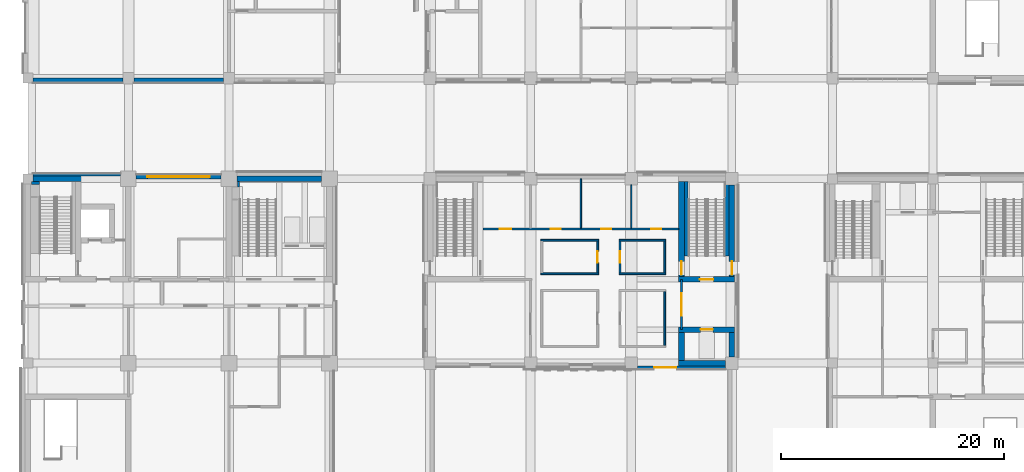
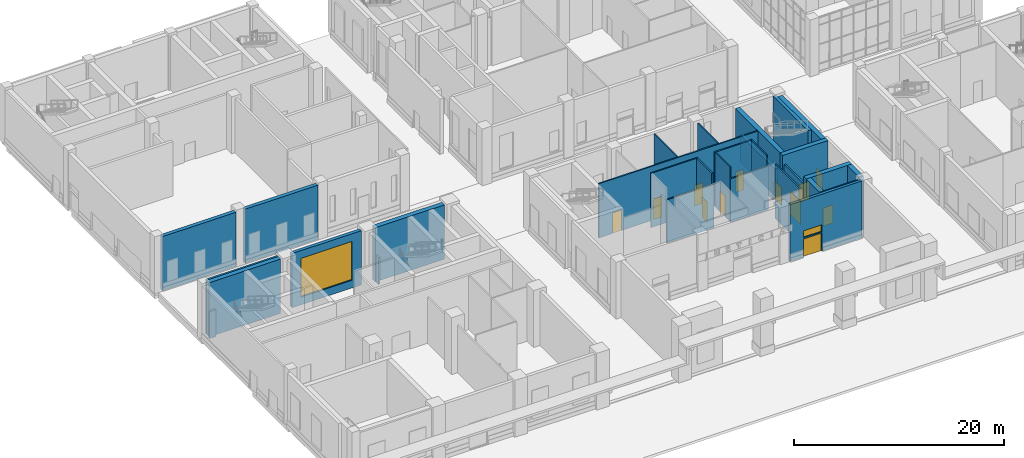
# One storey, part 10 of 35: 30 walls, 12 doors, 2 windows, 14 openings.
"""IFC4 building model written with IfcOpenShell, lengths in metres."""

from ifc_helpers import new_model, si_unit, direction, frame, frame_2d, origin, place, context, subcontext, project, spatial, rectangle, extrude, material, layer, layer_set, type_object, element, fill, save


model = new_model("IFC4")

# Units and contexts
model_context = context("Model", 3, precision=1e-05, world=origin(), true_north=direction((0.0, 1.0)))
body_context = subcontext(model_context, "Body", "Model", "MODEL_VIEW")
ifc_project = project(units=[si_unit("LENGTHUNIT", "METRE"), si_unit("AREAUNIT", "SQUARE_METRE"), si_unit("VOLUMEUNIT", "CUBIC_METRE"), si_unit("PLANEANGLEUNIT", "RADIAN"), si_unit("MASSUNIT", "GRAM", prefix="KILO")], contexts=[model_context])

# Site, building, storey
site_placement = place(None, origin())
site = spatial("IfcSite", under=ifc_project, at=site_placement, CompositionType="ELEMENT")
building_placement = place(site_placement, origin())
building = spatial("IfcBuilding", under=site, at=building_placement, Name="Aurelan Courthouse", CompositionType="ELEMENT")
storey_placement = place(building_placement, origin())
storey = spatial("IfcBuildingStorey", under=building, at=storey_placement, Name="L00", CompositionType="ELEMENT", Elevation=0.0)

# Wall, openings, door, window
ifc_material_1 = material(Name="Limestone cladding", Category="masonry")
ifc_layer_1 = layer(ifc_material_1, 0.0849609375, Name="Facing")
ifc_material_2 = material(Name="Ventilated cavity")
ifc_layer_2 = layer(ifc_material_2, 0.02490234375, ventilated=True, Name="Ventilated cavity")
ifc_material_3 = material(Name="Mineral wool insulation")
ifc_layer_3 = layer(ifc_material_3, 0.044921875, Name="Insulation")
ifc_material_4 = material(Name="Concrete C30", Category="concrete")
ifc_layer_4 = layer(ifc_material_4, 0.14501953125, Name="Structure")
ifc_layer_set_1 = layer_set([ifc_layer_1, ifc_layer_2, ifc_layer_3, ifc_layer_4], Name="Concrete C30")
wall_type_1 = type_object("IfcWallType", Name="Ceremonial Court stone-faced wall 300", PredefinedType="SOLIDWALL", material=ifc_layer_set_1)
wall_1_placement = place(storey_placement, frame((54.550048828125, 11.60009765625, 0.0), z_axis=(0.0, 0.0, 1.0), x_axis=(1.0, 0.0, 0.0)))
wall_1 = element("IfcWall", 1, at=wall_1_placement, inside=storey, type_object=wall_type_1, Name="Facade wall FW-V1-L00-010", PredefinedType="SOLIDWALL", context=body_context, shape_type="SweptSolid", body=[
    extrude(rectangle(XDim=7.89990234375, YDim=0.300048828125, at=frame_2d((3.949951171875, 0.0))), origin(), (0.0, 0.0, 1.0), 6.60009765625),
])
opening_1_placement = place(wall_1_placement, frame((3.5, 0.0, 0.0), z_axis=(0.0, 0.0, 1.0), x_axis=(-1.0, 0.0, 0.0)))
opening_1 = element("IfcOpeningElement", 2, at=opening_1_placement, cuts=wall_1, Name="Opening D-L00-002", PredefinedType="OPENING", context=body_context, shape_type="SweptSolid", body=[
    extrude(rectangle(XDim=2.0, YDim=2.10009765625, at=frame_2d((1.0, 1.050048828125))), frame((0.0, 0.159912109375, 0.0), z_axis=(0.0, -1.0, 0.0), x_axis=(1.0, 0.0, 0.0)), (0.0, 0.0, 1.0), 0.320068359375),
])
opening_2_placement = place(wall_1_placement, frame((1.5, 0.0, 2.25)))
opening_2 = element("IfcOpeningElement", 3, at=opening_2_placement, cuts=wall_1, Name="Opening WN-V1-L00-008", PredefinedType="OPENING", context=body_context, shape_type="SweptSolid", body=[
    extrude(rectangle(XDim=2.0, YDim=0.800048828125, at=frame_2d((1.0, 0.39990234375))), frame((0.0, 0.159912109375, 0.0), z_axis=(0.0, -1.0, 0.0), x_axis=(1.0, 0.0, 0.0)), (0.0, 0.0, 1.0), 0.320068359375),
])
ifc_material_5 = material(Name="Bronze-clad timber", Category="wood")
door_type_1 = type_object("IfcDoorType", Name="Bronze double door 2000 x 2100", OperationType="SINGLE_SWING_LEFT", PredefinedType="DOOR", material=ifc_material_5)
door_1_placement = place(opening_1_placement, origin())
door_1 = element("IfcDoor", 4, at=door_1_placement, inside=storey, type_object=door_type_1, Name="Entrance door D-L00-002", OperationType="DOUBLE_DOOR_SINGLE_SWING", OverallHeight=2.10009765625, OverallWidth=2.0, PredefinedType="DOOR", context=body_context, shape_type="SweptSolid", body=[
    extrude(rectangle(XDim=2.0, YDim=2.10009765625, at=frame_2d((1.0, 1.050048828125))), frame((0.0, 0.02490234375, 0.0), z_axis=(0.0, -1.0, 0.0), x_axis=(1.0, 0.0, 0.0)), (0.0, 0.0, 1.0), 0.050048828125),
])
fill(opening_1, door_1)
ifc_material_6 = material(Name="Bronze-finished aluminium and glass", Category="aluminium")
window_type_1 = type_object("IfcWindowType", Name="Ceremonial Court transom light 2000 x 800, sill 2250", PartitioningType="SINGLE_PANEL", PredefinedType="WINDOW", material=ifc_material_6)
window_1_placement = place(opening_2_placement, origin())
window_1 = element("IfcWindow", 5, at=window_1_placement, inside=storey, type_object=window_type_1, Name="Transom light WN-V1-L00-008", OverallHeight=0.800048828125, OverallWidth=2.0, PartitioningType="SINGLE_PANEL", PredefinedType="WINDOW", context=body_context, shape_type="SweptSolid", body=[
    extrude(rectangle(XDim=2.0, YDim=0.800048828125, at=frame_2d((1.0, 0.39990234375))), frame((0.0, 0.030029296875, 0.0), z_axis=(0.0, -1.0, 0.0), x_axis=(1.0, 0.0, 0.0)), (0.0, 0.0, 1.0), 0.06005859375),
])
fill(opening_2, window_1)

# Walls
ifc_material_7 = material(Name="Gypsum board on metal studs")
ifc_layer_5 = layer(ifc_material_7, 0.14990234375)
ifc_layer_set_2 = layer_set([ifc_layer_5], Name="Gypsum board on metal studs")
wall_type_2 = type_object("IfcWallType", Name="Corridor partition 150 EI 60", PredefinedType="PARTITIONING", material=ifc_layer_set_2)
wall_2_placement = place(storey_placement, frame((45.925048828125, 20.0, 0.0), z_axis=(0.0, 0.0, 1.0), x_axis=(1.0, 0.0, 0.0)))
element("IfcWall", 6, at=wall_2_placement, inside=storey, type_object=wall_type_2, Name="Corridor partition L00-016", PredefinedType="PARTITIONING", context=body_context, shape_type="SweptSolid", body=[
    extrude(rectangle(XDim=5.14990234375, YDim=0.14990234375, at=frame_2d((2.574951171875, 0.0))), origin(), (0.0, 0.0, 1.0), 5.050048828125),
])
wall_3_placement = place(storey_placement, frame((52.925048828125, 20.0, 0.0), z_axis=(0.0, 0.0, 1.0), x_axis=(1.0, 0.0, 0.0)))
element("IfcWall", 7, at=wall_3_placement, inside=storey, type_object=wall_type_2, Name="Corridor partition L00-017", PredefinedType="PARTITIONING", context=body_context, shape_type="SweptSolid", body=[
    extrude(rectangle(XDim=4.14990234375, YDim=0.14990234375, at=frame_2d((2.074951171875, 0.0))), origin(), (0.0, 0.0, 1.0), 5.050048828125),
])
wall_4_placement = place(storey_placement, frame((45.925048828125, 23.0, 0.0), z_axis=(0.0, 0.0, 1.0), x_axis=(1.0, 0.0, 0.0)))
element("IfcWall", 8, at=wall_4_placement, inside=storey, type_object=wall_type_2, Name="Corridor partition L00-019", PredefinedType="PARTITIONING", context=body_context, shape_type="SweptSolid", body=[
    extrude(rectangle(XDim=5.14990234375, YDim=0.14990234375, at=frame_2d((2.574951171875, 0.0))), origin(), (0.0, 0.0, 1.0), 6.300048828125),
])
wall_5_placement = place(storey_placement, frame((52.925048828125, 23.0, 0.0), z_axis=(0.0, 0.0, 1.0), x_axis=(1.0, 0.0, 0.0)))
element("IfcWall", 9, at=wall_5_placement, inside=storey, type_object=wall_type_2, Name="Corridor partition L00-020", PredefinedType="PARTITIONING", context=body_context, shape_type="SweptSolid", body=[
    extrude(rectangle(XDim=4.14990234375, YDim=0.14990234375, at=frame_2d((2.074951171875, 0.0))), origin(), (0.0, 0.0, 1.0), 6.300048828125),
])

# Wall, openings, doors
wall_6_placement = place(storey_placement, frame((40.75, 24.0, 0.0), z_axis=(0.0, 0.0, 1.0), x_axis=(1.0, 0.0, 0.0)))
wall_6 = element("IfcWall", 10, at=wall_6_placement, inside=storey, type_object=wall_type_2, Name="Corridor partition L00-022", PredefinedType="PARTITIONING", context=body_context, shape_type="SweptSolid", body=[
    extrude(rectangle(XDim=17.5, YDim=0.14990234375, at=frame_2d((8.75, 0.0))), origin(), (0.0, 0.0, 1.0), 6.300048828125),
])
opening_3_placement = place(wall_6_placement, frame((1.5, 0.0, 0.0)))
opening_3 = element("IfcOpeningElement", 11, at=opening_3_placement, cuts=wall_6, Name="Opening D-L00-016", PredefinedType="OPENING", context=body_context, shape_type="SweptSolid", body=[
    extrude(rectangle(XDim=1.0, YDim=2.39990234375, at=frame_2d((0.5, 1.199951171875))), frame((0.0, 0.0849609375, 0.0), z_axis=(0.0, -1.0, 0.0), x_axis=(1.0, 0.0, 0.0)), (0.0, 0.0, 1.0), 0.169921875),
])
opening_4_placement = place(wall_6_placement, frame((6.050048828125, 0.0, 0.0)))
opening_4 = element("IfcOpeningElement", 12, at=opening_4_placement, cuts=wall_6, Name="Opening D-L00-017", PredefinedType="OPENING", context=body_context, shape_type="SweptSolid", body=[
    extrude(rectangle(XDim=0.89990234375, YDim=2.39990234375, at=frame_2d((0.449951171875, 1.199951171875))), frame((0.0, 0.0849609375, 0.0), z_axis=(0.0, -1.0, 0.0), x_axis=(1.0, 0.0, 0.0)), (0.0, 0.0, 1.0), 0.169921875),
])
opening_5_placement = place(wall_6_placement, frame((10.550048828125, 0.0, 0.0)))
opening_5 = element("IfcOpeningElement", 13, at=opening_5_placement, cuts=wall_6, Name="Opening D-L00-018", PredefinedType="OPENING", context=body_context, shape_type="SweptSolid", body=[
    extrude(rectangle(XDim=0.89990234375, YDim=2.39990234375, at=frame_2d((0.449951171875, 1.199951171875))), frame((0.0, 0.0849609375, 0.0), z_axis=(0.0, -1.0, 0.0), x_axis=(1.0, 0.0, 0.0)), (0.0, 0.0, 1.0), 0.169921875),
])
opening_6_placement = place(wall_6_placement, frame((15.050048828125, 0.0, 0.0)))
opening_6 = element("IfcOpeningElement", 14, at=opening_6_placement, cuts=wall_6, Name="Opening D-L00-019", PredefinedType="OPENING", context=body_context, shape_type="SweptSolid", body=[
    extrude(rectangle(XDim=0.89990234375, YDim=2.39990234375, at=frame_2d((0.449951171875, 1.199951171875))), frame((0.0, 0.0849609375, 0.0), z_axis=(0.0, -1.0, 0.0), x_axis=(1.0, 0.0, 0.0)), (0.0, 0.0, 1.0), 0.169921875),
])
ifc_material_8 = material(Name="Steel", Category="steel")
door_type_2 = type_object("IfcDoorType", Name="Single door 1000 x 2400 FD60", OperationType="SINGLE_SWING_LEFT", PredefinedType="DOOR", material=ifc_material_8)
door_2_placement = place(opening_3_placement, origin())
door_2 = element("IfcDoor", 15, at=door_2_placement, inside=storey, type_object=door_type_2, Name="Single door D-L00-016", OperationType="SINGLE_SWING_LEFT", OverallHeight=2.39990234375, OverallWidth=1.0, PredefinedType="DOOR", context=body_context, shape_type="SweptSolid", body=[
    extrude(rectangle(XDim=1.0, YDim=2.39990234375, at=frame_2d((0.5, 1.199951171875))), frame((0.0, 0.02490234375, 0.0), z_axis=(0.0, -1.0, 0.0), x_axis=(1.0, 0.0, 0.0)), (0.0, 0.0, 1.0), 0.050048828125),
])
fill(opening_3, door_2)
door_type_3 = type_object("IfcDoorType", Name="Single door 900 x 2400 FD60", OperationType="SINGLE_SWING_LEFT", PredefinedType="DOOR", material=ifc_material_8)
door_3_placement = place(opening_4_placement, origin())
door_3 = element("IfcDoor", 16, at=door_3_placement, inside=storey, type_object=door_type_3, Name="Single door D-L00-017", OperationType="SINGLE_SWING_RIGHT", OverallHeight=2.39990234375, OverallWidth=0.89990234375, PredefinedType="DOOR", context=body_context, shape_type="SweptSolid", body=[
    extrude(rectangle(XDim=0.89990234375, YDim=2.39990234375, at=frame_2d((0.449951171875, 1.199951171875))), frame((0.0, 0.02490234375, 0.0), z_axis=(0.0, -1.0, 0.0), x_axis=(1.0, 0.0, 0.0)), (0.0, 0.0, 1.0), 0.050048828125),
])
fill(opening_4, door_3)
door_4_placement = place(opening_5_placement, origin())
door_4 = element("IfcDoor", 17, at=door_4_placement, inside=storey, type_object=door_type_3, Name="Single door D-L00-018", OperationType="SINGLE_SWING_LEFT", OverallHeight=2.39990234375, OverallWidth=0.89990234375, PredefinedType="DOOR", context=body_context, shape_type="SweptSolid", body=[
    extrude(rectangle(XDim=0.89990234375, YDim=2.39990234375, at=frame_2d((0.449951171875, 1.199951171875))), frame((0.0, 0.02490234375, 0.0), z_axis=(0.0, -1.0, 0.0), x_axis=(1.0, 0.0, 0.0)), (0.0, 0.0, 1.0), 0.050048828125),
])
fill(opening_5, door_4)
door_5_placement = place(opening_6_placement, origin())
door_5 = element("IfcDoor", 18, at=door_5_placement, inside=storey, type_object=door_type_3, Name="Single door D-L00-019", OperationType="SINGLE_SWING_RIGHT", OverallHeight=2.39990234375, OverallWidth=0.89990234375, PredefinedType="DOOR", context=body_context, shape_type="SweptSolid", body=[
    extrude(rectangle(XDim=0.89990234375, YDim=2.39990234375, at=frame_2d((0.449951171875, 1.199951171875))), frame((0.0, 0.02490234375, 0.0), z_axis=(0.0, -1.0, 0.0), x_axis=(1.0, 0.0, 0.0)), (0.0, 0.0, 1.0), 0.050048828125),
])
fill(opening_6, door_5)

# Wall, opening, door
wall_7_placement = place(storey_placement, frame((51.0, 20.074951171875, 0.0), z_axis=(0.0, 0.0, 1.0), x_axis=(0.0, 1.0, 0.0)))
wall_7 = element("IfcWall", 19, at=wall_7_placement, inside=storey, type_object=wall_type_2, Name="Corridor partition L00-084", PredefinedType="PARTITIONING", context=body_context, shape_type="SweptSolid", body=[
    extrude(rectangle(XDim=2.85009765625, YDim=0.14990234375, at=frame_2d((1.425048828125, 0.0))), origin(), (0.0, 0.0, 1.0), 6.300048828125),
])
opening_7_placement = place(wall_7_placement, frame((0.925048828125, 0.0, 0.0)))
opening_7 = element("IfcOpeningElement", 20, at=opening_7_placement, cuts=wall_7, Name="Opening D-L00-014", PredefinedType="OPENING", context=body_context, shape_type="SweptSolid", body=[
    extrude(rectangle(XDim=1.0, YDim=2.39990234375, at=frame_2d((0.5, 1.199951171875))), frame((0.0, 0.0849609375, 0.0), z_axis=(0.0, -1.0, 0.0), x_axis=(1.0, 0.0, 0.0)), (0.0, 0.0, 1.0), 0.169921875),
])
door_6_placement = place(opening_7_placement, origin())
door_6 = element("IfcDoor", 21, at=door_6_placement, inside=storey, type_object=door_type_2, Name="Single door D-L00-014", OperationType="SINGLE_SWING_LEFT", OverallHeight=2.39990234375, OverallWidth=1.0, PredefinedType="DOOR", context=body_context, shape_type="SweptSolid", body=[
    extrude(rectangle(XDim=1.0, YDim=2.39990234375, at=frame_2d((0.5, 1.199951171875))), frame((0.0, 0.02490234375, 0.0), z_axis=(0.0, -1.0, 0.0), x_axis=(1.0, 0.0, 0.0)), (0.0, 0.0, 1.0), 0.050048828125),
])
fill(opening_7, door_6)

wall_8_placement = place(storey_placement, frame((53.0, 20.074951171875, 0.0), z_axis=(0.0, 0.0, 1.0), x_axis=(0.0, 1.0, 0.0)))
wall_8 = element("IfcWall", 22, at=wall_8_placement, inside=storey, type_object=wall_type_2, Name="Corridor partition L00-086", PredefinedType="PARTITIONING", context=body_context, shape_type="SweptSolid", body=[
    extrude(rectangle(XDim=2.85009765625, YDim=0.14990234375, at=frame_2d((1.425048828125, 0.0))), origin(), (0.0, 0.0, 1.0), 6.300048828125),
])
opening_8_placement = place(wall_8_placement, frame((1.925048828125, 0.0, 0.0), z_axis=(0.0, 0.0, 1.0), x_axis=(-1.0, 0.0, 0.0)))
opening_8 = element("IfcOpeningElement", 23, at=opening_8_placement, cuts=wall_8, Name="Opening D-L00-015", PredefinedType="OPENING", context=body_context, shape_type="SweptSolid", body=[
    extrude(rectangle(XDim=1.0, YDim=2.39990234375, at=frame_2d((0.5, 1.199951171875))), frame((0.0, 0.0849609375, 0.0), z_axis=(0.0, -1.0, 0.0), x_axis=(1.0, 0.0, 0.0)), (0.0, 0.0, 1.0), 0.169921875),
])
door_7_placement = place(opening_8_placement, origin())
door_7 = element("IfcDoor", 24, at=door_7_placement, inside=storey, type_object=door_type_2, Name="Single door D-L00-015", OperationType="SINGLE_SWING_LEFT", OverallHeight=2.39990234375, OverallWidth=1.0, PredefinedType="DOOR", context=body_context, shape_type="SweptSolid", body=[
    extrude(rectangle(XDim=1.0, YDim=2.39990234375, at=frame_2d((0.5, 1.199951171875))), frame((0.0, 0.02490234375, 0.0), z_axis=(0.0, -1.0, 0.0), x_axis=(1.0, 0.0, 0.0)), (0.0, 0.0, 1.0), 0.050048828125),
])
fill(opening_8, door_7)

# Walls
wall_9_placement = place(storey_placement, frame((57.0, 13.574951171875, 0.0), z_axis=(0.0, 0.0, 1.0), x_axis=(0.0, 1.0, 0.0)))
element("IfcWall", 25, at=wall_9_placement, inside=storey, type_object=wall_type_2, Name="Corridor partition L00-088", PredefinedType="PARTITIONING", context=body_context, shape_type="SweptSolid", body=[
    extrude(rectangle(XDim=4.85009765625, YDim=0.14990234375, at=frame_2d((2.425048828125, 0.0))), origin(), (0.0, 0.0, 1.0), 6.300048828125),
])
wall_10_placement = place(storey_placement, frame((57.0, 20.074951171875, 0.0), z_axis=(0.0, 0.0, 1.0), x_axis=(0.0, 1.0, 0.0)))
element("IfcWall", 26, at=wall_10_placement, inside=storey, type_object=wall_type_2, Name="Corridor partition L00-089", PredefinedType="PARTITIONING", context=body_context, shape_type="SweptSolid", body=[
    extrude(rectangle(XDim=2.85009765625, YDim=0.14990234375, at=frame_2d((1.425048828125, 0.0))), origin(), (0.0, 0.0, 1.0), 6.300048828125),
])
ifc_material_9 = material(Name="Granite cladding", Category="masonry")
ifc_layer_6 = layer(ifc_material_9, 0.054931640625, Name="Facing")
ifc_layer_7 = layer(ifc_material_2, 0.02490234375, ventilated=True, Name="Ventilated cavity")
ifc_layer_8 = layer(ifc_material_3, 0.030029296875, Name="Insulation")
ifc_layer_9 = layer(ifc_material_4, 0.090087890625, Name="Structure")
ifc_layer_set_3 = layer_set([ifc_layer_6, ifc_layer_7, ifc_layer_8, ifc_layer_9], Name="Concrete C30")
wall_type_3 = type_object("IfcWallType", Name="Courts' Floors granite-faced wall 200", PredefinedType="SOLIDWALL", material=ifc_layer_set_3)
wall_11_placement = place(storey_placement, frame((0.449951171875, 28.85009765625, 0.0), z_axis=(0.0, 0.0, 1.0), x_axis=(1.0, 0.0, 0.0)))
element("IfcWall", 27, at=wall_11_placement, inside=storey, type_object=wall_type_3, Name="Facade wall FW-V5-L00-004", PredefinedType="SOLIDWALL", context=body_context, shape_type="SweptSolid", body=[
    extrude(rectangle(XDim=7.85009765625, YDim=0.199951171875, at=frame_2d((3.925048828125, 0.0))), origin(), (0.0, 0.0, 1.0), 6.300048828125),
])

# Wall, opening, window
ifc_layer_10 = layer(ifc_material_9, 0.10009765625, Name="Facing")
ifc_layer_11 = layer(ifc_material_2, 0.02490234375, ventilated=True, Name="Ventilated cavity")
ifc_layer_12 = layer(ifc_material_3, 0.050048828125, Name="Insulation")
ifc_layer_13 = layer(ifc_material_4, 0.175048828125, Name="Structure")
ifc_layer_set_4 = layer_set([ifc_layer_10, ifc_layer_11, ifc_layer_12, ifc_layer_13], Name="Concrete C30")
wall_type_4 = type_object("IfcWallType", Name="Courts' Floors granite-faced wall 350", PredefinedType="SOLIDWALL", material=ifc_layer_set_4)
wall_12_placement = place(storey_placement, frame((9.699951171875, 28.675048828125, 0.0), z_axis=(0.0, 0.0, 1.0), x_axis=(1.0, 0.0, 0.0)))
wall_12 = element("IfcWall", 28, at=wall_12_placement, inside=storey, type_object=wall_type_4, Name="Facade wall FW-V5-L00-005", PredefinedType="SOLIDWALL", context=body_context, shape_type="SweptSolid", body=[
    extrude(rectangle(XDim=7.60009765625, YDim=0.35009765625, at=frame_2d((3.800048828125, 0.0))), origin(), (0.0, 0.0, 1.0), 6.300048828125),
])
opening_9_placement = place(wall_12_placement, frame((1.0, 0.0, 0.89990234375)))
opening_9 = element("IfcOpeningElement", 29, at=opening_9_placement, cuts=wall_12, Name="Opening WN-V5-L00-002", PredefinedType="OPENING", context=body_context, shape_type="SweptSolid", body=[
    extrude(rectangle(XDim=5.60009765625, YDim=4.5, at=frame_2d((2.800048828125, 2.25))), frame((0.0, 0.18505859375, 0.0), z_axis=(0.0, -1.0, 0.0), x_axis=(1.0, 0.0, 0.0)), (0.0, 0.0, 1.0), 0.3701171875),
])
ifc_material_10 = material(Name="Bronze-finished aluminium louvre", Category="aluminium")
window_type_2 = type_object("IfcWindowType", Name="Plant louvre 5600 x 4500", PartitioningType="SINGLE_PANEL", PredefinedType="WINDOW", material=ifc_material_10)
window_2_placement = place(opening_9_placement, origin())
window_2 = element("IfcWindow", 30, at=window_2_placement, inside=storey, type_object=window_type_2, Name="Plant louvre WN-V5-L00-002", OverallHeight=4.5, OverallWidth=5.60009765625, PartitioningType="SINGLE_PANEL", PredefinedType="WINDOW", context=body_context, shape_type="SweptSolid", body=[
    extrude(rectangle(XDim=5.60009765625, YDim=4.5, at=frame_2d((2.800048828125, 2.25))), frame((0.0, 0.030029296875, 0.0), z_axis=(0.0, -1.0, 0.0), x_axis=(1.0, 0.0, 0.0)), (0.0, 0.0, 1.0), 0.06005859375),
])
fill(opening_9, window_2)

# Walls
ifc_layer_14 = layer(ifc_material_9, 0.114990234375, Name="Facing")
ifc_layer_15 = layer(ifc_material_2, 0.02490234375, ventilated=True, Name="Ventilated cavity")
ifc_layer_16 = layer(ifc_material_3, 0.054931640625, Name="Insulation")
ifc_layer_17 = layer(ifc_material_4, 0.205078125, Name="Structure")
ifc_layer_set_5 = layer_set([ifc_layer_14, ifc_layer_15, ifc_layer_16, ifc_layer_17], Name="Concrete C30")
wall_type_5 = type_object("IfcWallType", Name="Custody Suite granite-faced wall 400", PredefinedType="SOLIDWALL", material=ifc_layer_set_5)
wall_13_placement = place(storey_placement, frame((0.449951171875, 37.300048828125, 0.0), z_axis=(0.0, 0.0, 1.0), x_axis=(1.0, 0.0, 0.0)))
element("IfcWall", 31, at=wall_13_placement, inside=storey, type_object=wall_type_5, Name="Facade wall FW-V6-L00-001", PredefinedType="SOLIDWALL", context=body_context, shape_type="SweptSolid", body=[
    extrude(rectangle(XDim=8.050048828125, YDim=0.39990234375, at=frame_2d((4.02490234375, 0.0))), origin(), (0.0, 0.0, 1.0), 6.300048828125),
])
wall_14_placement = place(storey_placement, frame((9.5, 37.300048828125, 0.0), z_axis=(0.0, 0.0, 1.0), x_axis=(1.0, 0.0, 0.0)))
element("IfcWall", 32, at=wall_14_placement, inside=storey, type_object=wall_type_5, Name="Facade wall FW-V6-L00-002", PredefinedType="SOLIDWALL", context=body_context, shape_type="SweptSolid", body=[
    extrude(rectangle(XDim=8.0, YDim=0.39990234375, at=frame_2d((4.0, 0.0))), origin(), (0.0, 0.0, 1.0), 6.300048828125),
])

# Wall, opening, door
ifc_material_11 = material(Name="Masonry block", Category="masonry")
ifc_layer_18 = layer(ifc_material_11, 0.199951171875)
ifc_layer_set_6 = layer_set([ifc_layer_18], Name="Masonry block")
wall_type_6 = type_object("IfcWallType", Name="Lift lobby wall 200 EI 60", PredefinedType="PARTITIONING", material=ifc_layer_set_6)
wall_15_placement = place(storey_placement, frame((58.5, 15.0, 0.0), z_axis=(0.0, 0.0, 1.0), x_axis=(0.0, 1.0, 0.0)))
wall_15 = element("IfcWall", 33, at=wall_15_placement, inside=storey, type_object=wall_type_6, Name="Lift lobby wall L00-090", PredefinedType="PARTITIONING", context=body_context, shape_type="SweptSolid", body=[
    extrude(rectangle(XDim=4.5, YDim=0.199951171875, at=frame_2d((2.25, 0.0))), origin(), (0.0, 0.0, 1.0), 5.199951171875),
])
opening_10_placement = place(wall_15_placement, frame((1.25, 0.0, 0.0)))
opening_10 = element("IfcOpeningElement", 34, at=opening_10_placement, cuts=wall_15, Name="Opening D-L00-010", PredefinedType="OPENING", context=body_context, shape_type="SweptSolid", body=[
    extrude(rectangle(XDim=2.0, YDim=2.699951171875, at=frame_2d((1.0, 1.35009765625))), frame((0.0, 0.10986328125, 0.0), z_axis=(0.0, -1.0, 0.0), x_axis=(1.0, 0.0, 0.0)), (0.0, 0.0, 1.0), 0.219970703125),
])
door_type_4 = type_object("IfcDoorType", Name="Double door 2000 x 2700 FD60", OperationType="DOUBLE_DOOR_SINGLE_SWING", PredefinedType="DOOR", material=ifc_material_8)
door_8_placement = place(opening_10_placement, origin())
door_8 = element("IfcDoor", 35, at=door_8_placement, inside=storey, type_object=door_type_4, Name="Double door D-L00-010", OperationType="DOUBLE_DOOR_SINGLE_SWING", OverallHeight=2.699951171875, OverallWidth=2.0, PredefinedType="DOOR", context=body_context, shape_type="SweptSolid", body=[
    extrude(rectangle(XDim=2.0, YDim=2.699951171875, at=frame_2d((1.0, 1.35009765625))), frame((0.0, 0.02490234375, 0.0), z_axis=(0.0, -1.0, 0.0), x_axis=(1.0, 0.0, 0.0)), (0.0, 0.0, 1.0), 0.050048828125),
])
fill(opening_10, door_8)

# Walls
ifc_material_12 = material(Name="Concrete C50", Category="concrete")
ifc_layer_19 = layer(ifc_material_12, 0.5)
ifc_layer_set_7 = layer_set([ifc_layer_19], Name="Concrete C50")
wall_type_7 = type_object("IfcWallType", Name="RC shear wall 500", PredefinedType="SHEAR", material=ifc_layer_set_7)
wall_16_placement = place(storey_placement, frame((58.25, 12.0, 0.0), z_axis=(0.0, 0.0, 1.0), x_axis=(1.0, 0.0, 0.0)))
element("IfcWall", 36, at=wall_16_placement, inside=storey, type_object=wall_type_7, Name="Core wall SW-L00-009", PredefinedType="SHEAR", context=body_context, shape_type="SweptSolid", body=[
    extrude(rectangle(XDim=4.199951171875, YDim=0.5, at=frame_2d((2.10009765625, 0.0))), origin(), (0.0, 0.0, 1.0), 6.300048828125),
])
wall_17_placement = place(storey_placement, frame((58.5, 12.25, 0.0), z_axis=(0.0, 0.0, 1.0), x_axis=(0.0, 1.0, 0.0)))
element("IfcWall", 37, at=wall_17_placement, inside=storey, type_object=wall_type_7, Name="Core wall SW-L00-010", PredefinedType="SHEAR", context=body_context, shape_type="SweptSolid", body=[
    extrude(rectangle(XDim=2.5, YDim=0.5, at=frame_2d((1.25, 0.0))), origin(), (0.0, 0.0, 1.0), 6.300048828125),
])
wall_18_placement = place(storey_placement, frame((63.0, 12.550048828125, 0.0), z_axis=(0.0, 0.0, 1.0), x_axis=(0.0, 1.0, 0.0)))
element("IfcWall", 38, at=wall_18_placement, inside=storey, type_object=wall_type_7, Name="Core wall SW-L00-011", PredefinedType="SHEAR", context=body_context, shape_type="SweptSolid", body=[
    extrude(rectangle(XDim=2.199951171875, YDim=0.5, at=frame_2d((1.10009765625, 0.0))), origin(), (0.0, 0.0, 1.0), 6.300048828125),
])

# Wall, opening, door
wall_19_placement = place(storey_placement, frame((58.25, 15.0, 0.0), z_axis=(0.0, 0.0, 1.0), x_axis=(1.0, 0.0, 0.0)))
wall_19 = element("IfcWall", 39, at=wall_19_placement, inside=storey, type_object=wall_type_7, Name="Core wall SW-L00-012", PredefinedType="SHEAR", context=body_context, shape_type="SweptSolid", body=[
    extrude(rectangle(XDim=5.0, YDim=0.5, at=frame_2d((2.5, 0.0))), origin(), (0.0, 0.0, 1.0), 6.300048828125),
])
opening_11_placement = place(wall_19_placement, frame((1.949951171875, 0.0, 0.0)))
opening_11 = element("IfcOpeningElement", 40, at=opening_11_placement, cuts=wall_19, Name="Opening LD-V1-A1-L00", PredefinedType="OPENING", context=body_context, shape_type="SweptSolid", body=[
    extrude(rectangle(XDim=1.10009765625, YDim=2.10009765625, at=frame_2d((0.550048828125, 1.050048828125))), frame((0.0, 0.260009765625, 0.0), z_axis=(0.0, -1.0, 0.0), x_axis=(1.0, 0.0, 0.0)), (0.0, 0.0, 1.0), 0.52001953125),
])
door_type_5 = type_object("IfcDoorType", Name="Lift landing door 1100 x 2100 FD90", OperationType="SLIDING_TO_LEFT", PredefinedType="DOOR", material=ifc_material_8)
door_9_placement = place(opening_11_placement, origin())
door_9 = element("IfcDoor", 41, at=door_9_placement, inside=storey, type_object=door_type_5, Name="Lift landing door LD-V1-A1-L00", OperationType="SLIDING_TO_LEFT", OverallHeight=2.10009765625, OverallWidth=1.10009765625, PredefinedType="DOOR", context=body_context, shape_type="SweptSolid", body=[
    extrude(rectangle(XDim=1.10009765625, YDim=2.10009765625, at=frame_2d((0.550048828125, 1.050048828125))), frame((0.0, 0.02490234375, 0.0), z_axis=(0.0, -1.0, 0.0), x_axis=(1.0, 0.0, 0.0)), (0.0, 0.0, 1.0), 0.050048828125),
])
fill(opening_11, door_9)

wall_20_placement = place(storey_placement, frame((58.25, 19.5, 0.0), z_axis=(0.0, 0.0, 1.0), x_axis=(1.0, 0.0, 0.0)))
wall_20 = element("IfcWall", 42, at=wall_20_placement, inside=storey, type_object=wall_type_7, Name="Core wall SW-L00-016", PredefinedType="SHEAR", context=body_context, shape_type="SweptSolid", body=[
    extrude(rectangle(XDim=5.0, YDim=0.5, at=frame_2d((2.5, 0.0))), origin(), (0.0, 0.0, 1.0), 6.300048828125),
])
opening_12_placement = place(wall_20_placement, frame((1.89990234375, 0.0, 0.0)))
opening_12 = element("IfcOpeningElement", 43, at=opening_12_placement, cuts=wall_20, Name="Opening D-L00-011", PredefinedType="OPENING", context=body_context, shape_type="SweptSolid", body=[
    extrude(rectangle(XDim=1.199951171875, YDim=2.10009765625, at=frame_2d((0.60009765625, 1.050048828125))), frame((0.0, 0.260009765625, 0.0), z_axis=(0.0, -1.0, 0.0), x_axis=(1.0, 0.0, 0.0)), (0.0, 0.0, 1.0), 0.52001953125),
])
door_type_6 = type_object("IfcDoorType", Name="Single door 1200 x 2100 FD90", OperationType="SINGLE_SWING_LEFT", PredefinedType="DOOR", material=ifc_material_8)
door_10_placement = place(opening_12_placement, origin())
door_10 = element("IfcDoor", 44, at=door_10_placement, inside=storey, type_object=door_type_6, Name="Single door D-L00-011", OperationType="SINGLE_SWING_RIGHT", OverallHeight=2.10009765625, OverallWidth=1.199951171875, PredefinedType="DOOR", context=body_context, shape_type="SweptSolid", body=[
    extrude(rectangle(XDim=1.199951171875, YDim=2.10009765625, at=frame_2d((0.60009765625, 1.050048828125))), frame((0.0, 0.02490234375, 0.0), z_axis=(0.0, -1.0, 0.0), x_axis=(1.0, 0.0, 0.0)), (0.0, 0.0, 1.0), 0.050048828125),
])
fill(opening_12, door_10)

wall_21_placement = place(storey_placement, frame((58.5, 19.75, 0.0), z_axis=(0.0, 0.0, 1.0), x_axis=(0.0, 1.0, 0.0)))
wall_21 = element("IfcWall", 45, at=wall_21_placement, inside=storey, type_object=wall_type_7, Name="Core wall SW-L00-027", PredefinedType="SHEAR", context=body_context, shape_type="SweptSolid", body=[
    extrude(rectangle(XDim=8.5, YDim=0.5, at=frame_2d((4.25, 0.0))), origin(), (0.0, 0.0, 1.0), 6.300048828125),
])
opening_13_placement = place(wall_21_placement, frame((1.349853515625, 0.0, 0.0), z_axis=(0.0, 0.0, 1.0), x_axis=(-1.0, 0.0, 0.0)))
opening_13 = element("IfcOpeningElement", 46, at=opening_13_placement, cuts=wall_21, Name="Opening D-L00-008", PredefinedType="OPENING", context=body_context, shape_type="SweptSolid", body=[
    extrude(rectangle(XDim=1.199951171875, YDim=2.10009765625, at=frame_2d((0.60009765625, 1.050048828125))), frame((0.0, 0.260009765625, 0.0), z_axis=(0.0, -1.0, 0.0), x_axis=(1.0, 0.0, 0.0)), (0.0, 0.0, 1.0), 0.52001953125),
])
door_11_placement = place(opening_13_placement, origin())
door_11 = element("IfcDoor", 47, at=door_11_placement, inside=storey, type_object=door_type_6, Name="Single door D-L00-008", OperationType="SINGLE_SWING_RIGHT", OverallHeight=2.10009765625, OverallWidth=1.199951171875, PredefinedType="DOOR", context=body_context, shape_type="SweptSolid", body=[
    extrude(rectangle(XDim=1.199951171875, YDim=2.10009765625, at=frame_2d((0.60009765625, 1.050048828125))), frame((0.0, 0.02490234375, 0.0), z_axis=(0.0, -1.0, 0.0), x_axis=(1.0, 0.0, 0.0)), (0.0, 0.0, 1.0), 0.050048828125),
])
fill(opening_13, door_11)

wall_22_placement = place(storey_placement, frame((63.0, 19.75, 0.0), z_axis=(0.0, 0.0, 1.0), x_axis=(0.0, 1.0, 0.0)))
wall_22 = element("IfcWall", 48, at=wall_22_placement, inside=storey, type_object=wall_type_7, Name="Core wall SW-L00-028", PredefinedType="SHEAR", context=body_context, shape_type="SweptSolid", body=[
    extrude(rectangle(XDim=8.199951171875, YDim=0.5, at=frame_2d((4.10009765625, 0.0))), origin(), (0.0, 0.0, 1.0), 6.300048828125),
])
opening_14_placement = place(wall_22_placement, frame((1.349853515625, 0.0, 0.0), z_axis=(0.0, 0.0, 1.0), x_axis=(-1.0, 0.0, 0.0)))
opening_14 = element("IfcOpeningElement", 49, at=opening_14_placement, cuts=wall_22, Name="Opening D-L00-006", PredefinedType="OPENING", context=body_context, shape_type="SweptSolid", body=[
    extrude(rectangle(XDim=1.199951171875, YDim=2.10009765625, at=frame_2d((0.60009765625, 1.050048828125))), frame((0.0, 0.260009765625, 0.0), z_axis=(0.0, -1.0, 0.0), x_axis=(1.0, 0.0, 0.0)), (0.0, 0.0, 1.0), 0.52001953125),
])
door_type_7 = type_object("IfcDoorType", Name="Bronze single door 1200 x 2100", OperationType="SINGLE_SWING_LEFT", PredefinedType="DOOR", material=ifc_material_5)
door_12_placement = place(opening_14_placement, origin())
door_12 = element("IfcDoor", 50, at=door_12_placement, inside=storey, type_object=door_type_7, Name="Exit door D-L00-006", OperationType="SINGLE_SWING_RIGHT", OverallHeight=2.10009765625, OverallWidth=1.199951171875, PredefinedType="DOOR", context=body_context, shape_type="SweptSolid", body=[
    extrude(rectangle(XDim=1.199951171875, YDim=2.10009765625, at=frame_2d((0.60009765625, 1.050048828125))), frame((0.0, 0.02490234375, 0.0), z_axis=(0.0, -1.0, 0.0), x_axis=(1.0, 0.0, 0.0)), (0.0, 0.0, 1.0), 0.050048828125),
])
fill(opening_14, door_12)

# Walls
wall_23_placement = place(storey_placement, frame((0.449951171875, 28.5, 0.0), z_axis=(0.0, 0.0, 1.0), x_axis=(1.0, 0.0, 0.0)))
element("IfcWall", 51, at=wall_23_placement, inside=storey, type_object=wall_type_7, Name="Core wall SW-L00-040", PredefinedType="SHEAR", context=body_context, shape_type="SweptSolid", body=[
    extrude(rectangle(XDim=7.85009765625, YDim=0.5, at=frame_2d((3.925048828125, 0.0))), origin(), (0.0, 0.0, 1.0), 6.300048828125),
])
wall_24_placement = place(storey_placement, frame((18.699951171875, 28.5, 0.0), z_axis=(0.0, 0.0, 1.0), x_axis=(1.0, 0.0, 0.0)))
element("IfcWall", 52, at=wall_24_placement, inside=storey, type_object=wall_type_7, Name="Core wall SW-L00-041", PredefinedType="SHEAR", context=body_context, shape_type="SweptSolid", body=[
    extrude(rectangle(XDim=7.60009765625, YDim=0.5, at=frame_2d((3.800048828125, 0.0))), origin(), (0.0, 0.0, 1.0), 6.300048828125),
])
ifc_layer_20 = layer(ifc_material_4, 0.199951171875)
ifc_layer_set_8 = layer_set([ifc_layer_20], Name="Concrete C30")
wall_type_8 = type_object("IfcWallType", Name="Stair well wall 200 EI 120 load-bearing", PredefinedType="SHEAR", material=ifc_layer_set_8)
wall_25_placement = place(storey_placement, frame((18.85009765625, 27.75, 0.0), z_axis=(0.0, 0.0, 1.0), x_axis=(0.0, 1.0, 0.0)))
element("IfcWall", 53, at=wall_25_placement, inside=storey, type_object=wall_type_8, Name="Stair well wall ST-5A-L00 A2", PredefinedType="SHEAR", context=body_context, shape_type="SweptSolid", body=[
    extrude(rectangle(XDim=0.5, YDim=0.199951171875, at=frame_2d((0.25, 0.0))), origin(), (0.0, 0.0, 1.0), 3.10009765625),
])
ifc_layer_21 = layer(ifc_material_4, 0.35009765625)
ifc_layer_set_9 = layer_set([ifc_layer_21], Name="Concrete C30")
wall_type_9 = type_object("IfcWallType", Name="Stair well wall 350 EI 120 load-bearing", PredefinedType="SHEAR", material=ifc_layer_set_9)
wall_26_placement = place(storey_placement, frame((58.925048828125, 21.610107421875, 0.0), z_axis=(0.0, 0.0, 1.0), x_axis=(0.0, 1.0, 0.0)))
element("IfcWall", 54, at=wall_26_placement, inside=storey, type_object=wall_type_9, Name="Stair well wall ST-1E-L00 A", PredefinedType="SHEAR", context=body_context, shape_type="SweptSolid", body=[
    extrude(rectangle(XDim=6.639892578125, YDim=0.35009765625, at=frame_2d((3.31982421875, 0.0))), origin(), (0.0, 0.0, 1.0), 3.10009765625),
])
wall_27_placement = place(storey_placement, frame((62.574951171875, 21.610107421875, 0.0), z_axis=(0.0, 0.0, 1.0), x_axis=(0.0, 1.0, 0.0)))
element("IfcWall", 55, at=wall_27_placement, inside=storey, type_object=wall_type_9, Name="Stair well wall ST-1E-L00 B", PredefinedType="SHEAR", context=body_context, shape_type="SweptSolid", body=[
    extrude(rectangle(XDim=6.639892578125, YDim=0.35009765625, at=frame_2d((3.31982421875, 0.0))), origin(), (0.0, 0.0, 1.0), 6.300048828125),
])
ifc_layer_22 = layer(ifc_material_4, 0.7099609375)
ifc_layer_set_10 = layer_set([ifc_layer_22], Name="Concrete C30")
wall_type_10 = type_object("IfcWallType", Name="Stair well wall 710 EI 120 load-bearing", PredefinedType="SHEAR", material=ifc_layer_set_10)
wall_28_placement = place(storey_placement, frame((0.705078125, 28.0, 0.0), z_axis=(0.0, 0.0, 1.0), x_axis=(0.0, 1.0, 0.0)))
element("IfcWall", 56, at=wall_28_placement, inside=storey, type_object=wall_type_10, Name="Stair well wall ST-5B-L00 A2", PredefinedType="SHEAR", context=body_context, shape_type="SweptSolid", body=[
    extrude(rectangle(XDim=0.25, YDim=0.7099609375, at=frame_2d((0.125, 0.0))), origin(), (0.0, 0.0, 1.0), 3.10009765625),
])
ifc_material_13 = material(Name="Moisture-resistant board on metal studs")
ifc_layer_23 = layer(ifc_material_13, 0.125)
ifc_layer_set_11 = layer_set([ifc_layer_23], Name="Moisture-resistant board on metal studs")
wall_type_11 = type_object("IfcWallType", Name="Wet-area partition 125 NOT RATED", PredefinedType="PARTITIONING", material=ifc_layer_set_11)
wall_29_placement = place(storey_placement, frame((49.5, 24.074951171875, 0.0), z_axis=(0.0, 0.0, 1.0), x_axis=(0.0, 1.0, 0.0)))
element("IfcWall", 57, at=wall_29_placement, inside=storey, type_object=wall_type_11, Name="Wet-area partition L00-080", PredefinedType="PARTITIONING", context=body_context, shape_type="SweptSolid", body=[
    extrude(rectangle(XDim=4.425048828125, YDim=0.125, at=frame_2d((2.21240234375, 0.0))), origin(), (0.0, 0.0, 1.0), 6.300048828125),
])
wall_30_placement = place(storey_placement, frame((54.0, 24.074951171875, 0.0), z_axis=(0.0, 0.0, 1.0), x_axis=(0.0, 1.0, 0.0)))
element("IfcWall", 58, at=wall_30_placement, inside=storey, type_object=wall_type_11, Name="Wet-area partition L00-087", PredefinedType="PARTITIONING", context=body_context, shape_type="SweptSolid", body=[
    extrude(rectangle(XDim=3.875, YDim=0.125, at=frame_2d((1.9375, 0.0))), origin(), (0.0, 0.0, 1.0), 6.300048828125),
])

save(model, "model.ifc")
